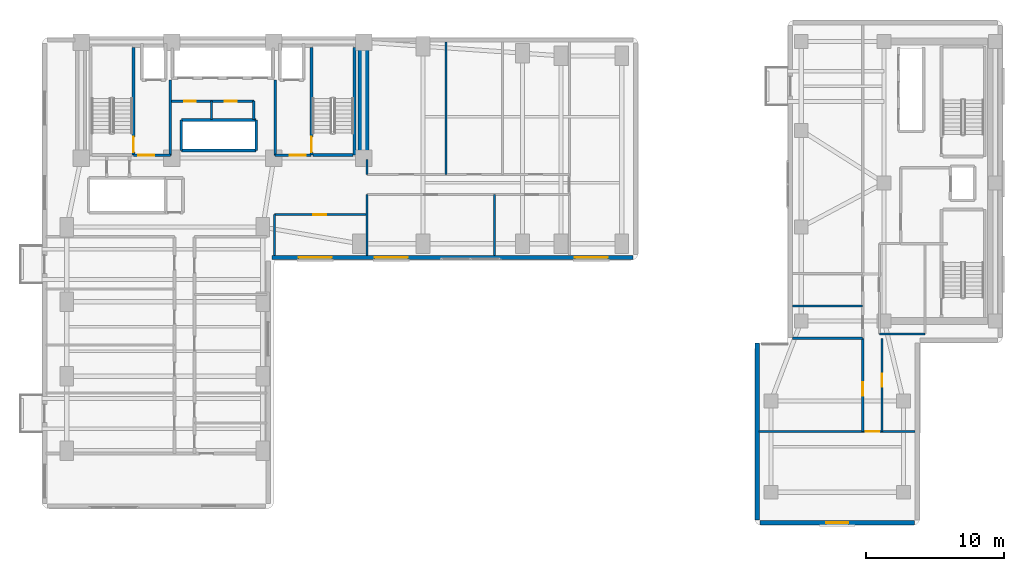
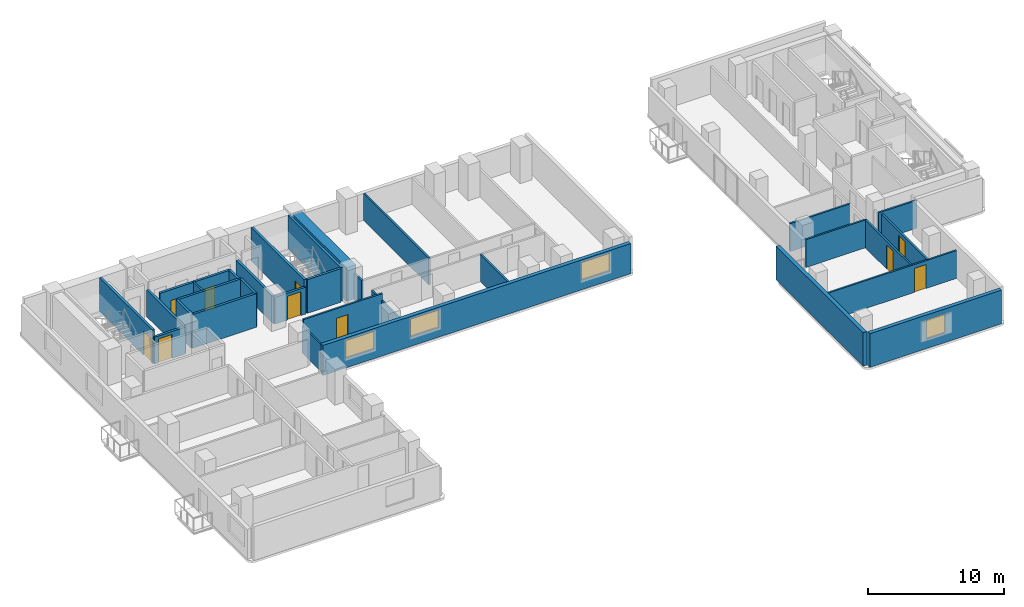
# One storey, part 11 of 17: 31 walls, 10 doors, 4 windows, 14 openings.
"""IFC4 building model written with IfcOpenShell, lengths in metres."""

from ifc_helpers import new_model, si_unit, direction, frame, frame_2d, origin, place, context, subcontext, project, spatial, rectangle, extrude, material, layer, layer_set, type_object, element, fill, save


model = new_model("IFC4")

# Units and contexts
model_context = context("Model", 3, precision=1e-05, world=origin(), true_north=direction((0.0, 1.0)))
body_context = subcontext(model_context, "Body", "Model", "MODEL_VIEW")
ifc_project = project(units=[si_unit("LENGTHUNIT", "METRE"), si_unit("AREAUNIT", "SQUARE_METRE"), si_unit("VOLUMEUNIT", "CUBIC_METRE"), si_unit("PLANEANGLEUNIT", "RADIAN"), si_unit("MASSUNIT", "GRAM", prefix="KILO")], contexts=[model_context])

# Site, building, storey
site_placement = place(None, origin())
site = spatial("IfcSite", under=ifc_project, at=site_placement, CompositionType="ELEMENT")
building_placement = place(site_placement, origin())
building = spatial("IfcBuilding", under=site, at=building_placement, Name="Kuzgunbayir Cultural Tower", CompositionType="ELEMENT")
storey_placement = place(building_placement, frame((0.0, 0.0, 43.60009765625)))
storey = spatial("IfcBuildingStorey", under=building, at=storey_placement, Name="L11", CompositionType="ELEMENT", Elevation=43.60009765625)

# Wall
ifc_material_1 = material(Name="Concrete C60/75", Category="concrete")
ifc_layer_1 = layer(ifc_material_1, 0.800048828125)
ifc_layer_set_1 = layer_set([ifc_layer_1], Name="Concrete C60/75")
wall_type_1 = type_object("IfcWallType", Name="WAL-CORE-800", PredefinedType="SHEAR", material=ifc_layer_set_1)
wall_1_placement = place(storey_placement, frame((26.89990234375, 33.800048828125, 0.0), z_axis=(0.0, 0.0, 1.0), x_axis=(0.0, 1.0, 0.0)))
element("IfcWall", 1, at=wall_1_placement, inside=storey, type_object=wall_type_1, Name="L11 T1 Core East Shear Wall", PredefinedType="SHEAR", context=body_context, shape_type="SweptSolid", body=[
    extrude(rectangle(XDim=7.949951171875, YDim=0.800048828125, at=frame_2d((3.97509765625, 0.0))), origin(), (0.0, 0.0, 1.0), 3.02001953125),
])

# Wall, openings, windows
ifc_material_2 = material(Name="Travertine Buff Ashlar", Category="masonry")
ifc_layer_2 = layer(ifc_material_2, 0.320068359375)
ifc_layer_set_2 = layer_set([ifc_layer_2], Name="Travertine Buff Ashlar")
wall_type_2 = type_object("IfcWallType", Name="WAL-EXT-STONE-320", PredefinedType="STANDARD", material=ifc_layer_set_2)
wall_2_placement = place(storey_placement, frame((20.25, 26.60009765625, 0.0), z_axis=(0.0, 0.0, 1.0), x_axis=(1.0, 0.0, 0.0)))
wall_2 = element("IfcWall", 2, at=wall_2_placement, inside=storey, type_object=wall_type_2, Name="L11 Wing B South Limestone Wall", PredefinedType="STANDARD", context=body_context, shape_type="SweptSolid", body=[
    extrude(rectangle(XDim=26.14990234375, YDim=0.320068359375, at=frame_2d((13.074951171875, 0.0))), origin(), (0.0, 0.0, 1.0), 2.699951171875),
])
opening_1_placement = place(wall_2_placement, frame((1.949951171875, 0.0, 0.85009765625)))
opening_1 = element("IfcOpeningElement", 3, at=opening_1_placement, cuts=wall_2, Name="Opening WO-24", PredefinedType="OPENING", context=body_context, shape_type="SweptSolid", body=[
    extrude(rectangle(XDim=2.39990234375, YDim=1.60009765625, at=frame_2d((1.199951171875, 0.800048828125))), frame((0.0, 0.169921875, 0.0), z_axis=(0.0, -1.0, 0.0), x_axis=(1.0, 0.0, 0.0)), (0.0, 0.0, 1.0), 0.340087890625),
])
opening_2_placement = place(wall_2_placement, frame((7.449951171875, 0.0, 0.85009765625)))
opening_2 = element("IfcOpeningElement", 4, at=opening_2_placement, cuts=wall_2, Name="Opening WO-24", PredefinedType="OPENING", context=body_context, shape_type="SweptSolid", body=[
    extrude(rectangle(XDim=2.39990234375, YDim=1.60009765625, at=frame_2d((1.199951171875, 0.800048828125))), frame((0.0, 0.169921875, 0.0), z_axis=(0.0, -1.0, 0.0), x_axis=(1.0, 0.0, 0.0)), (0.0, 0.0, 1.0), 0.340087890625),
])
opening_3_placement = place(wall_2_placement, frame((21.949951171875, 0.0, 0.85009765625)))
opening_3 = element("IfcOpeningElement", 5, at=opening_3_placement, cuts=wall_2, Name="Opening WO-24", PredefinedType="OPENING", context=body_context, shape_type="SweptSolid", body=[
    extrude(rectangle(XDim=2.39990234375, YDim=1.60009765625, at=frame_2d((1.199951171875, 0.800048828125))), frame((0.0, 0.169921875, 0.0), z_axis=(0.0, -1.0, 0.0), x_axis=(1.0, 0.0, 0.0)), (0.0, 0.0, 1.0), 0.340087890625),
])
ifc_material_3 = material(Name="Solar-Control Triple Glazing", Category="glass")
window_type_1 = type_object("IfcWindowType", Name="WIN-OFFICE-24", PartitioningType="SINGLE_PANEL", PredefinedType="WINDOW", material=ifc_material_3)
window_1_placement = place(opening_1_placement, origin())
window_1 = element("IfcWindow", 6, at=window_1_placement, inside=storey, type_object=window_type_1, Name="L11 WBS Facade Window 6", OverallHeight=1.60009765625, OverallWidth=2.39990234375, PartitioningType="SINGLE_PANEL", PredefinedType="WINDOW", context=body_context, shape_type="SweptSolid", body=[
    extrude(rectangle(XDim=2.39990234375, YDim=1.60009765625, at=frame_2d((1.199951171875, 0.800048828125))), frame((0.0, 0.030029296875, 0.0), z_axis=(0.0, -1.0, 0.0), x_axis=(1.0, 0.0, 0.0)), (0.0, 0.0, 1.0), 0.06005859375),
])
fill(opening_1, window_1)
window_2_placement = place(opening_2_placement, origin())
window_2 = element("IfcWindow", 7, at=window_2_placement, inside=storey, type_object=window_type_1, Name="L11 WBS Facade Window 7", OverallHeight=1.60009765625, OverallWidth=2.39990234375, PartitioningType="SINGLE_PANEL", PredefinedType="WINDOW", context=body_context, shape_type="SweptSolid", body=[
    extrude(rectangle(XDim=2.39990234375, YDim=1.60009765625, at=frame_2d((1.199951171875, 0.800048828125))), frame((0.0, 0.030029296875, 0.0), z_axis=(0.0, -1.0, 0.0), x_axis=(1.0, 0.0, 0.0)), (0.0, 0.0, 1.0), 0.06005859375),
])
fill(opening_2, window_2)
window_3_placement = place(opening_3_placement, origin())
window_3 = element("IfcWindow", 8, at=window_3_placement, inside=storey, type_object=window_type_1, Name="L11 WBS Facade Window 8", OverallHeight=1.60009765625, OverallWidth=2.39990234375, PartitioningType="SINGLE_PANEL", PredefinedType="WINDOW", context=body_context, shape_type="SweptSolid", body=[
    extrude(rectangle(XDim=2.39990234375, YDim=1.60009765625, at=frame_2d((1.199951171875, 0.800048828125))), frame((0.0, 0.030029296875, 0.0), z_axis=(0.0, -1.0, 0.0), x_axis=(1.0, 0.0, 0.0)), (0.0, 0.0, 1.0), 0.06005859375),
])
fill(opening_3, window_3)

# Wall, opening, window
wall_3_placement = place(storey_placement, frame((55.60009765625, 7.39990234375, 0.0), z_axis=(0.0, 0.0, 1.0), x_axis=(1.0, 0.0, 0.0)))
wall_3 = element("IfcWall", 9, at=wall_3_placement, inside=storey, type_object=wall_type_2, Name="L11 Companion Wing B South Wall", PredefinedType="STANDARD", context=body_context, shape_type="SweptSolid", body=[
    extrude(rectangle(XDim=11.199951171875, YDim=0.320068359375, at=frame_2d((5.60009765625, 0.0))), origin(), (0.0, 0.0, 1.0), 3.02001953125),
])
opening_4_placement = place(wall_3_placement, frame((4.800048828125, 0.0, 0.85009765625)))
opening_4 = element("IfcOpeningElement", 10, at=opening_4_placement, cuts=wall_3, Name="Opening WC-16", PredefinedType="OPENING", context=body_context, shape_type="SweptSolid", body=[
    extrude(rectangle(XDim=1.60009765625, YDim=1.699951171875, at=frame_2d((0.800048828125, 0.85009765625))), frame((0.0, 0.169921875, 0.0), z_axis=(0.0, -1.0, 0.0), x_axis=(1.0, 0.0, 0.0)), (0.0, 0.0, 1.0), 0.340087890625),
])
window_type_2 = type_object("IfcWindowType", Name="WIN-COMP-16", PartitioningType="SINGLE_PANEL", PredefinedType="WINDOW", material=ifc_material_3)
window_4_placement = place(opening_4_placement, origin())
window_4 = element("IfcWindow", 11, at=window_4_placement, inside=storey, type_object=window_type_2, Name="L11 Companion South Window", OverallHeight=1.699951171875, OverallWidth=1.60009765625, PartitioningType="SINGLE_PANEL", PredefinedType="WINDOW", context=body_context, shape_type="SweptSolid", body=[
    extrude(rectangle(XDim=1.60009765625, YDim=1.699951171875, at=frame_2d((0.800048828125, 0.85009765625))), frame((0.0, 0.030029296875, 0.0), z_axis=(0.0, -1.0, 0.0), x_axis=(1.0, 0.0, 0.0)), (0.0, 0.0, 1.0), 0.06005859375),
])
fill(opening_4, window_4)

# Walls
wall_4_placement = place(storey_placement, frame((55.39990234375, 20.39990234375, 0.0), z_axis=(0.0, 0.0, 1.0), x_axis=(0.0, -1.0, 0.0)))
element("IfcWall", 12, at=wall_4_placement, inside=storey, type_object=wall_type_2, Name="L11 Companion Wing B West Wall", PredefinedType="STANDARD", context=body_context, shape_type="SweptSolid", body=[
    extrude(rectangle(XDim=12.7998046875, YDim=0.320068359375, at=frame_2d((6.39990234375, 0.0))), origin(), (0.0, 0.0, 1.0), 3.02001953125),
])
ifc_material_4 = material(Name="Acoustic Double-Stud Drywall", Category="gypsum")
ifc_layer_3 = layer(ifc_material_4, 0.14990234375)
ifc_layer_set_3 = layer_set([ifc_layer_3], Name="Acoustic Double-Stud Drywall")
wall_type_3 = type_object("IfcWallType", Name="WAL-PART-ACOUSTIC-150", PredefinedType="PARTITIONING", material=ifc_layer_set_3)
wall_5_placement = place(storey_placement, frame((15.89990234375, 36.60009765625, 0.0), z_axis=(0.0, 0.0, 1.0), x_axis=(0.0, 1.0, 0.0)))
element("IfcWall", 13, at=wall_5_placement, inside=storey, type_object=wall_type_3, Name="L11 Core Closets Divider", PredefinedType="PARTITIONING", context=body_context, shape_type="SweptSolid", body=[
    extrude(rectangle(XDim=1.31982421875, YDim=0.14990234375, at=frame_2d((0.659912109375, 0.0))), origin(), (0.0, 0.0, 1.0), 3.02001953125),
])

# Wall, opening, door
wall_6_placement = place(storey_placement, frame((20.449951171875, 29.699951171875, 0.0), z_axis=(0.0, 0.0, 1.0), x_axis=(1.0, 0.0, 0.0)))
wall_6 = element("IfcWall", 14, at=wall_6_placement, inside=storey, type_object=wall_type_3, Name="L11 Waist Alcove North Wall", PredefinedType="PARTITIONING", context=body_context, shape_type="SweptSolid", body=[
    extrude(rectangle(XDim=6.699951171875, YDim=0.14990234375, at=frame_2d((3.35009765625, 0.0))), origin(), (0.0, 0.0, 1.0), 3.02001953125),
])
opening_5_placement = place(wall_6_placement, frame((2.800048828125, 0.0, 0.0)))
opening_5 = element("IfcOpeningElement", 15, at=opening_5_placement, cuts=wall_6, Name="Opening DI-90", PredefinedType="OPENING", context=body_context, shape_type="SweptSolid", body=[
    extrude(rectangle(XDim=0.949951171875, YDim=2.14990234375, at=frame_2d((0.47509765625, 1.074951171875))), frame((0.0, 0.0849609375, 0.0), z_axis=(0.0, -1.0, 0.0), x_axis=(1.0, 0.0, 0.0)), (0.0, 0.0, 1.0), 0.169921875),
])
ifc_material_5 = material(Name="Veneered Oak Single Leaf", Category="wood")
door_type_1 = type_object("IfcDoorType", Name="DR-INT-90", OperationType="NOTDEFINED", PredefinedType="DOOR", material=ifc_material_5)
door_1_placement = place(opening_5_placement, origin())
door_1 = element("IfcDoor", 16, at=door_1_placement, inside=storey, type_object=door_type_1, Name="L11 Waist Alcove Door", OperationType="SINGLE_SWING_LEFT", OverallHeight=2.14990234375, OverallWidth=0.949951171875, PredefinedType="DOOR", context=body_context, shape_type="SweptSolid", body=[
    extrude(rectangle(XDim=0.949951171875, YDim=2.14990234375, at=frame_2d((0.47509765625, 1.074951171875))), frame((0.0, 0.02490234375, 0.0), z_axis=(0.0, -1.0, 0.0), x_axis=(1.0, 0.0, 0.0)), (0.0, 0.0, 1.0), 0.050048828125),
])
fill(opening_5, door_1)

# Walls
wall_7_placement = place(storey_placement, frame((20.449951171875, 26.75, 0.0), z_axis=(0.0, 0.0, 1.0), x_axis=(0.0, 1.0, 0.0)))
element("IfcWall", 17, at=wall_7_placement, inside=storey, type_object=wall_type_3, Name="L11 Waist Alcove West Wall", PredefinedType="PARTITIONING", context=body_context, shape_type="SweptSolid", body=[
    extrude(rectangle(XDim=2.949951171875, YDim=0.14990234375, at=frame_2d((1.47509765625, 0.0))), origin(), (0.0, 0.0, 1.0), 2.409912109375),
])
wall_8_placement = place(storey_placement, frame((27.14990234375, 26.75, 0.0), z_axis=(0.0, 0.0, 1.0), x_axis=(0.0, 1.0, 0.0)))
element("IfcWall", 18, at=wall_8_placement, inside=storey, type_object=wall_type_3, Name="L11 Waist Alcove East Wall", PredefinedType="PARTITIONING", context=body_context, shape_type="SweptSolid", body=[
    extrude(rectangle(XDim=4.39990234375, YDim=0.14990234375, at=frame_2d((2.199951171875, 0.0))), origin(), (0.0, 0.0, 1.0), 2.409912109375),
])
wall_9_placement = place(storey_placement, frame((27.14990234375, 32.60009765625, 0.0), z_axis=(0.0, 0.0, 1.0), x_axis=(0.0, 1.0, 0.0)))
element("IfcWall", 19, at=wall_9_placement, inside=storey, type_object=wall_type_3, Name="L11 Wing B North Core Closure Wall", PredefinedType="PARTITIONING", context=body_context, shape_type="SweptSolid", body=[
    extrude(rectangle(XDim=1.079833984375, YDim=0.14990234375, at=frame_2d((0.5400390625, 0.0))), origin(), (0.0, 0.0, 1.0), 2.409912109375),
])
wall_10_placement = place(storey_placement, frame((36.3798828125, 26.75, 0.0), z_axis=(0.0, 0.0, 1.0), x_axis=(0.0, 1.0, 0.0)))
element("IfcWall", 20, at=wall_10_placement, inside=storey, type_object=wall_type_3, Name="L11 Wing B South Partition 1", PredefinedType="PARTITIONING", context=body_context, shape_type="SweptSolid", body=[
    extrude(rectangle(XDim=4.39990234375, YDim=0.14990234375, at=frame_2d((2.199951171875, 0.0))), origin(), (0.0, 0.0, 1.0), 2.409912109375),
])
wall_11_placement = place(storey_placement, frame((32.860107421875, 32.60009765625, 0.0), z_axis=(0.0, 0.0, 1.0), x_axis=(0.0, 1.0, 0.0)))
element("IfcWall", 21, at=wall_11_placement, inside=storey, type_object=wall_type_3, Name="L11 Wing B North Partition 1", PredefinedType="PARTITIONING", context=body_context, shape_type="SweptSolid", body=[
    extrude(rectangle(XDim=9.599853515625, YDim=0.14990234375, at=frame_2d((4.7998046875, 0.0))), origin(), (0.0, 0.0, 1.0), 2.409912109375),
])
wall_12_placement = place(storey_placement, frame((64.25, 21.050048828125, 0.0), z_axis=(0.0, 0.0, 1.0), x_axis=(1.0, 0.0, 0.0)))
element("IfcWall", 22, at=wall_12_placement, inside=storey, type_object=wall_type_3, Name="L11 Companion Archive South Wall", PredefinedType="PARTITIONING", context=body_context, shape_type="SweptSolid", body=[
    extrude(rectangle(XDim=3.300048828125, YDim=0.14990234375, at=frame_2d((1.64990234375, 0.0))), origin(), (0.0, 0.0, 1.0), 2.5),
])

# Wall, opening, door
wall_13_placement = place(storey_placement, frame((63.050048828125, 14.0, 0.0), z_axis=(0.0, 0.0, 1.0), x_axis=(0.0, 1.0, 0.0)))
wall_13 = element("IfcWall", 23, at=wall_13_placement, inside=storey, type_object=wall_type_3, Name="L11 Companion South Corridor West Wall", PredefinedType="PARTITIONING", context=body_context, shape_type="SweptSolid", body=[
    extrude(rectangle(XDim=6.75, YDim=0.14990234375, at=frame_2d((3.375, 0.0))), origin(), (0.0, 0.0, 1.0), 2.5),
])
opening_6_placement = place(wall_13_placement, frame((2.60009765625, 0.0, 0.0)))
opening_6 = element("IfcOpeningElement", 24, at=opening_6_placement, cuts=wall_13, Name="Opening DI-90", PredefinedType="OPENING", context=body_context, shape_type="SweptSolid", body=[
    extrude(rectangle(XDim=0.949951171875, YDim=2.14990234375, at=frame_2d((0.47509765625, 1.074951171875))), frame((0.0, 0.0849609375, 0.0), z_axis=(0.0, -1.0, 0.0), x_axis=(1.0, 0.0, 0.0)), (0.0, 0.0, 1.0), 0.169921875),
])
door_2_placement = place(opening_6_placement, origin())
door_2 = element("IfcDoor", 25, at=door_2_placement, inside=storey, type_object=door_type_1, Name="L11 Companion West Atelier Door", OperationType="SINGLE_SWING_LEFT", OverallHeight=2.14990234375, OverallWidth=0.949951171875, PredefinedType="DOOR", context=body_context, shape_type="SweptSolid", body=[
    extrude(rectangle(XDim=0.949951171875, YDim=2.14990234375, at=frame_2d((0.47509765625, 1.074951171875))), frame((0.0, 0.02490234375, 0.0), z_axis=(0.0, -1.0, 0.0), x_axis=(1.0, 0.0, 0.0)), (0.0, 0.0, 1.0), 0.050048828125),
])
fill(opening_6, door_2)

wall_14_placement = place(storey_placement, frame((55.550048828125, 14.0, 0.0), z_axis=(0.0, 0.0, 1.0), x_axis=(1.0, 0.0, 0.0)))
wall_14 = element("IfcWall", 26, at=wall_14_placement, inside=storey, type_object=wall_type_3, Name="L11 Companion South Gallery Wall", PredefinedType="PARTITIONING", context=body_context, shape_type="SweptSolid", body=[
    extrude(rectangle(XDim=11.300048828125, YDim=0.14990234375, at=frame_2d((5.64990234375, 0.0))), origin(), (0.0, 0.0, 1.0), 2.5),
])
opening_7_placement = place(wall_14_placement, frame((7.699951171875, 0.0, 0.0)))
opening_7 = element("IfcOpeningElement", 27, at=opening_7_placement, cuts=wall_14, Name="Opening DI-100", PredefinedType="OPENING", context=body_context, shape_type="SweptSolid", body=[
    extrude(rectangle(XDim=1.0, YDim=2.14990234375, at=frame_2d((0.5, 1.074951171875))), frame((0.0, 0.0849609375, 0.0), z_axis=(0.0, -1.0, 0.0), x_axis=(1.0, 0.0, 0.0)), (0.0, 0.0, 1.0), 0.169921875),
])
door_type_2 = type_object("IfcDoorType", Name="DR-INT-100", OperationType="NOTDEFINED", PredefinedType="DOOR", material=ifc_material_5)
door_3_placement = place(opening_7_placement, origin())
door_3 = element("IfcDoor", 28, at=door_3_placement, inside=storey, type_object=door_type_2, Name="L11 Companion South Salon Door", OperationType="SINGLE_SWING_LEFT", OverallHeight=2.14990234375, OverallWidth=1.0, PredefinedType="DOOR", context=body_context, shape_type="SweptSolid", body=[
    extrude(rectangle(XDim=1.0, YDim=2.14990234375, at=frame_2d((0.5, 1.074951171875))), frame((0.0, 0.02490234375, 0.0), z_axis=(0.0, -1.0, 0.0), x_axis=(1.0, 0.0, 0.0)), (0.0, 0.0, 1.0), 0.050048828125),
])
fill(opening_7, door_3)

wall_15_placement = place(storey_placement, frame((64.449951171875, 14.0, 0.0), z_axis=(0.0, 0.0, 1.0), x_axis=(0.0, 1.0, 0.0)))
wall_15 = element("IfcWall", 29, at=wall_15_placement, inside=storey, type_object=wall_type_3, Name="L11 Companion South Corridor East Wall", PredefinedType="PARTITIONING", context=body_context, shape_type="SweptSolid", body=[
    extrude(rectangle(XDim=6.75, YDim=0.14990234375, at=frame_2d((3.375, 0.0))), origin(), (0.0, 0.0, 1.0), 2.5),
])
opening_8_placement = place(wall_15_placement, frame((3.239990234375, 0.0, 0.0)))
opening_8 = element("IfcOpeningElement", 30, at=opening_8_placement, cuts=wall_15, Name="Opening DI-90", PredefinedType="OPENING", context=body_context, shape_type="SweptSolid", body=[
    extrude(rectangle(XDim=0.949951171875, YDim=2.14990234375, at=frame_2d((0.47509765625, 1.074951171875))), frame((0.0, 0.0849609375, 0.0), z_axis=(0.0, -1.0, 0.0), x_axis=(1.0, 0.0, 0.0)), (0.0, 0.0, 1.0), 0.169921875),
])
door_4_placement = place(opening_8_placement, origin())
door_4 = element("IfcDoor", 31, at=door_4_placement, inside=storey, type_object=door_type_1, Name="L11 Companion East Studio Door", OperationType="SINGLE_SWING_RIGHT", OverallHeight=2.14990234375, OverallWidth=0.949951171875, PredefinedType="DOOR", context=body_context, shape_type="SweptSolid", body=[
    extrude(rectangle(XDim=0.949951171875, YDim=2.14990234375, at=frame_2d((0.47509765625, 1.074951171875))), frame((0.0, 0.02490234375, 0.0), z_axis=(0.0, -1.0, 0.0), x_axis=(1.0, 0.0, 0.0)), (0.0, 0.0, 1.0), 0.050048828125),
])
fill(opening_8, door_4)

# Wall
ifc_material_6 = material(Name="Aerated Concrete Blockwork", Category="masonry")
ifc_layer_4 = layer(ifc_material_6, 0.199951171875)
ifc_layer_set_4 = layer_set([ifc_layer_4], Name="Aerated Concrete Blockwork")
wall_type_4 = type_object("IfcWallType", Name="WAL-PART-FIRE-200", PredefinedType="PARTITIONING", material=ifc_layer_set_4)
wall_16_placement = place(storey_placement, frame((12.89990234375, 34.0, 0.0), z_axis=(0.0, 0.0, 1.0), x_axis=(0.0, 1.0, 0.0)))
element("IfcWall", 32, at=wall_16_placement, inside=storey, type_object=wall_type_4, Name="L11 FFL-1 Lobby East Fire Wall", PredefinedType="PARTITIONING", context=body_context, shape_type="SweptSolid", body=[
    extrude(rectangle(XDim=5.449951171875, YDim=0.199951171875, at=frame_2d((2.72509765625, 0.0))), origin(), (0.0, 0.0, 1.0), 2.409912109375),
])

# Wall, opening, door
wall_17_placement = place(storey_placement, frame((10.239990234375, 34.0, 0.0), z_axis=(0.0, 0.0, 1.0), x_axis=(1.0, 0.0, 0.0)))
wall_17 = element("IfcWall", 33, at=wall_17_placement, inside=storey, type_object=wall_type_4, Name="L11 FFL-1 Lobby South Fire Wall", PredefinedType="PARTITIONING", context=body_context, shape_type="SweptSolid", body=[
    extrude(rectangle(XDim=2.659912109375, YDim=0.199951171875, at=frame_2d((1.330078125, 0.0))), origin(), (0.0, 0.0, 1.0), 2.409912109375),
])
opening_9_placement = place(wall_17_placement, frame((0.35009765625, 0.0, 0.0)))
opening_9 = element("IfcOpeningElement", 34, at=opening_9_placement, cuts=wall_17, Name="Opening DR-FFL-90", PredefinedType="OPENING", context=body_context, shape_type="SweptSolid", body=[
    extrude(rectangle(XDim=1.14990234375, YDim=2.14990234375, at=frame_2d((0.574951171875, 1.074951171875))), frame((0.0, 0.10986328125, 0.0), z_axis=(0.0, -1.0, 0.0), x_axis=(1.0, 0.0, 0.0)), (0.0, 0.0, 1.0), 0.219970703125),
])
ifc_material_7 = material(Name="Steel S355J2", Category="steel")
door_type_3 = type_object("IfcDoorType", Name="DR-FFL-90", OperationType="NOTDEFINED", PredefinedType="DOOR", material=ifc_material_7)
door_5_placement = place(opening_9_placement, origin())
door_5 = element("IfcDoor", 35, at=door_5_placement, inside=storey, type_object=door_type_3, Name="L11 Firefighting Lobby 1 Door", OperationType="SINGLE_SWING_LEFT", OverallHeight=2.14990234375, OverallWidth=1.14990234375, PredefinedType="DOOR", context=body_context, shape_type="SweptSolid", body=[
    extrude(rectangle(XDim=1.14990234375, YDim=2.14990234375, at=frame_2d((0.574951171875, 1.074951171875))), frame((0.0, 0.02490234375, 0.0), z_axis=(0.0, -1.0, 0.0), x_axis=(1.0, 0.0, 0.0)), (0.0, 0.0, 1.0), 0.050048828125),
])
fill(opening_9, door_5)

# Wall
wall_18_placement = place(storey_placement, frame((20.5, 34.0, 0.0), z_axis=(0.0, 0.0, 1.0), x_axis=(0.0, 1.0, 0.0)))
element("IfcWall", 36, at=wall_18_placement, inside=storey, type_object=wall_type_4, Name="L11 FFL-2 Lobby West Fire Wall", PredefinedType="PARTITIONING", context=body_context, shape_type="SweptSolid", body=[
    extrude(rectangle(XDim=5.449951171875, YDim=0.199951171875, at=frame_2d((2.72509765625, 0.0))), origin(), (0.0, 0.0, 1.0), 2.409912109375),
])

# Wall, opening, door
wall_19_placement = place(storey_placement, frame((20.5, 34.0, 0.0), z_axis=(0.0, 0.0, 1.0), x_axis=(1.0, 0.0, 0.0)))
wall_19 = element("IfcWall", 37, at=wall_19_placement, inside=storey, type_object=wall_type_4, Name="L11 FFL-2 Lobby South Fire Wall", PredefinedType="PARTITIONING", context=body_context, shape_type="SweptSolid", body=[
    extrude(rectangle(XDim=2.60009765625, YDim=0.199951171875, at=frame_2d((1.300048828125, 0.0))), origin(), (0.0, 0.0, 1.0), 2.409912109375),
])
opening_10_placement = place(wall_19_placement, frame((1.050048828125, 0.0, 0.0)))
opening_10 = element("IfcOpeningElement", 38, at=opening_10_placement, cuts=wall_19, Name="Opening DR-FFL-90", PredefinedType="OPENING", context=body_context, shape_type="SweptSolid", body=[
    extrude(rectangle(XDim=1.14990234375, YDim=2.14990234375, at=frame_2d((0.574951171875, 1.074951171875))), frame((0.0, 0.10986328125, 0.0), z_axis=(0.0, -1.0, 0.0), x_axis=(1.0, 0.0, 0.0)), (0.0, 0.0, 1.0), 0.219970703125),
])
door_6_placement = place(opening_10_placement, origin())
door_6 = element("IfcDoor", 39, at=door_6_placement, inside=storey, type_object=door_type_3, Name="L11 Firefighting Lobby 2 Door", OperationType="SINGLE_SWING_RIGHT", OverallHeight=2.14990234375, OverallWidth=1.14990234375, PredefinedType="DOOR", context=body_context, shape_type="SweptSolid", body=[
    extrude(rectangle(XDim=1.14990234375, YDim=2.14990234375, at=frame_2d((0.574951171875, 1.074951171875))), frame((0.0, 0.02490234375, 0.0), z_axis=(0.0, -1.0, 0.0), x_axis=(1.0, 0.0, 0.0)), (0.0, 0.0, 1.0), 0.050048828125),
])
fill(opening_10, door_6)

# Wall, openings, doors
wall_20_placement = place(storey_placement, frame((13.0, 37.919921875, 0.0), z_axis=(0.0, 0.0, 1.0), x_axis=(1.0, 0.0, 0.0)))
wall_20 = element("IfcWall", 40, at=wall_20_placement, inside=storey, type_object=wall_type_4, Name="L11 Core Closets North Wall", PredefinedType="PARTITIONING", context=body_context, shape_type="SweptSolid", body=[
    extrude(rectangle(XDim=5.949951171875, YDim=0.199951171875, at=frame_2d((2.97509765625, 0.0))), origin(), (0.0, 0.0, 1.0), 3.02001953125),
])
opening_11_placement = place(wall_20_placement, frame((0.89990234375, 0.0, 0.0)))
opening_11 = element("IfcOpeningElement", 41, at=opening_11_placement, cuts=wall_20, Name="Opening DR-RSR-60", PredefinedType="OPENING", context=body_context, shape_type="SweptSolid", body=[
    extrude(rectangle(XDim=0.85009765625, YDim=2.050048828125, at=frame_2d((0.425048828125, 1.02490234375))), frame((0.0, 0.10986328125, 0.0), z_axis=(0.0, -1.0, 0.0), x_axis=(1.0, 0.0, 0.0)), (0.0, 0.0, 1.0), 0.219970703125),
])
opening_12_placement = place(wall_20_placement, frame((3.85009765625, 0.0, 0.0)))
opening_12 = element("IfcOpeningElement", 42, at=opening_12_placement, cuts=wall_20, Name="Opening DR-RSR-60", PredefinedType="OPENING", context=body_context, shape_type="SweptSolid", body=[
    extrude(rectangle(XDim=0.85009765625, YDim=2.050048828125, at=frame_2d((0.425048828125, 1.02490234375))), frame((0.0, 0.10986328125, 0.0), z_axis=(0.0, -1.0, 0.0), x_axis=(1.0, 0.0, 0.0)), (0.0, 0.0, 1.0), 0.219970703125),
])
ifc_material_8 = material(Name="Steel Access Leaf", Category="steel")
door_type_4 = type_object("IfcDoorType", Name="DR-RISER-60", OperationType="NOTDEFINED", PredefinedType="DOOR", material=ifc_material_8)
door_7_placement = place(opening_11_placement, origin())
door_7 = element("IfcDoor", 43, at=door_7_placement, inside=storey, type_object=door_type_4, Name="L11 Electrical Switchgear Closet Door", OperationType="SINGLE_SWING_RIGHT", OverallHeight=2.050048828125, OverallWidth=0.85009765625, PredefinedType="DOOR", context=body_context, shape_type="SweptSolid", body=[
    extrude(rectangle(XDim=0.85009765625, YDim=2.050048828125, at=frame_2d((0.425048828125, 1.02490234375))), frame((0.0, 0.02490234375, 0.0), z_axis=(0.0, -1.0, 0.0), x_axis=(1.0, 0.0, 0.0)), (0.0, 0.0, 1.0), 0.050048828125),
])
fill(opening_11, door_7)
door_8_placement = place(opening_12_placement, origin())
door_8 = element("IfcDoor", 44, at=door_8_placement, inside=storey, type_object=door_type_4, Name="L11 Janitor Store Door", OperationType="SINGLE_SWING_LEFT", OverallHeight=2.050048828125, OverallWidth=0.85009765625, PredefinedType="DOOR", context=body_context, shape_type="SweptSolid", body=[
    extrude(rectangle(XDim=0.85009765625, YDim=2.050048828125, at=frame_2d((0.425048828125, 1.02490234375))), frame((0.0, 0.02490234375, 0.0), z_axis=(0.0, -1.0, 0.0), x_axis=(1.0, 0.0, 0.0)), (0.0, 0.0, 1.0), 0.050048828125),
])
fill(opening_12, door_8)

# Walls
wall_21_placement = place(storey_placement, frame((18.949951171875, 36.60009765625, 0.0), z_axis=(0.0, 0.0, 1.0), x_axis=(0.0, 1.0, 0.0)))
element("IfcWall", 45, at=wall_21_placement, inside=storey, type_object=wall_type_4, Name="L11 Core Closets East Wall", PredefinedType="PARTITIONING", context=body_context, shape_type="SweptSolid", body=[
    extrude(rectangle(XDim=1.31982421875, YDim=0.199951171875, at=frame_2d((0.659912109375, 0.0))), origin(), (0.0, 0.0, 1.0), 3.02001953125),
])
ifc_material_9 = material(Name="Moisture-Resistant Tile Partition", Category="gypsum")
ifc_layer_5 = layer(ifc_material_9, 0.14990234375)
ifc_layer_set_5 = layer_set([ifc_layer_5], Name="Moisture-Resistant Tile Partition")
wall_type_5 = type_object("IfcWallType", Name="WAL-PART-WET-150", PredefinedType="PARTITIONING", material=ifc_layer_set_5)
for number, where, z_axis, x_axis, name in (
    (46, (57.949951171875, 20.75, 0.0), (0.0, 0.0, 1.0), (1.0, 0.0, 0.0), "L11 Companion WC South Wall"),
    (47, (57.949951171875, 23.10009765625, 0.0), (0.0, 0.0, 1.0), (1.0, 0.0, 0.0), "L11 Companion WC North Wall"),
):
    element("IfcWall", number, at=place(storey_placement, frame(where, z_axis=z_axis, x_axis=x_axis)), inside=storey, type_object=wall_type_5, Name=name, PredefinedType="PARTITIONING", context=body_context, shape_type="SweptSolid", body=[
        extrude(rectangle(XDim=5.10009765625, YDim=0.14990234375, at=frame_2d((2.550048828125, 0.0))), origin(), (0.0, 0.0, 1.0), 2.5),
    ])
ifc_material_10 = material(Name="Concrete C40/50", Category="concrete")
ifc_layer_6 = layer(ifc_material_10, 0.199951171875)
ifc_layer_set_6 = layer_set([ifc_layer_6], Name="Concrete C40/50")
wall_type_6 = type_object("IfcWallType", Name="WAL-SHAFT-200", PredefinedType="MOVABLE", material=ifc_layer_set_6)
for number, where, z_axis, x_axis, name in (
    (48, (13.699951171875, 34.35009765625, 0.0), (0.0, 0.0, 1.0), (1.0, 0.0, 0.0), "L11 Mid-Rise Lift Front Wall"),
    (49, (13.699951171875, 36.550048828125, 0.0), (0.0, 0.0, 1.0), (1.0, 0.0, 0.0), "L11 Mid-Rise Lift Shaft North Wall"),
):
    element("IfcWall", number, at=place(storey_placement, frame(where, z_axis=z_axis, x_axis=x_axis)), inside=storey, type_object=wall_type_6, Name=name, PredefinedType="MOVABLE", context=body_context, shape_type="SweptSolid", body=[
        extrude(rectangle(XDim=5.420166015625, YDim=0.199951171875, at=frame_2d((2.7099609375, 0.0))), origin(), (0.0, 0.0, 1.0), 3.02001953125),
    ])
for number, where, z_axis, x_axis, name in (
    (50, (13.699951171875, 34.35009765625, 0.0), (0.0, 0.0, 1.0), (0.0, 1.0, 0.0), "L11 Mid-Rise Lift Shaft West Wall"),
    (51, (19.1201171875, 34.35009765625, 0.0), (0.0, 0.0, 1.0), (0.0, 1.0, 0.0), "L11 Mid-Rise Lift Shaft East Wall"),
):
    element("IfcWall", number, at=place(storey_placement, frame(where, z_axis=z_axis, x_axis=x_axis)), inside=storey, type_object=wall_type_6, Name=name, PredefinedType="MOVABLE", context=body_context, shape_type="SweptSolid", body=[
        extrude(rectangle(XDim=2.199951171875, YDim=0.199951171875, at=frame_2d((1.10009765625, 0.0))), origin(), (0.0, 0.0, 1.0), 3.02001953125),
    ])

# Wall, opening, door
ifc_layer_7 = layer(ifc_material_10, 0.199951171875)
ifc_layer_set_7 = layer_set([ifc_layer_7], Name="Concrete C40/50")
wall_type_7 = type_object("IfcWallType", Name="WAL-STAIR-RC-200", PredefinedType="SHEAR", material=ifc_layer_set_7)
wall_22_placement = place(storey_placement, frame((10.239990234375, 34.02001953125, 0.0), z_axis=(0.0, 0.0, 1.0), x_axis=(0.0, 1.0, 0.0)))
wall_22 = element("IfcWall", 52, at=wall_22_placement, inside=storey, type_object=wall_type_7, Name="L11 Stair ST-1 East Structural Wall", PredefinedType="SHEAR", context=body_context, shape_type="SweptSolid", body=[
    extrude(rectangle(XDim=7.780029296875, YDim=0.199951171875, at=frame_2d((3.89013671875, 0.0))), origin(), (0.0, 0.0, 1.0), 3.02001953125),
])
opening_13_placement = place(wall_22_placement, frame((0.219970703125, 0.0, 0.0)))
opening_13 = element("IfcOpeningElement", 53, at=opening_13_placement, cuts=wall_22, Name="Opening DR-STAIR-90", PredefinedType="OPENING", context=body_context, shape_type="SweptSolid", body=[
    extrude(rectangle(XDim=1.10009765625, YDim=2.14990234375, at=frame_2d((0.550048828125, 1.074951171875))), frame((0.0, 0.10986328125, 0.0), z_axis=(0.0, -1.0, 0.0), x_axis=(1.0, 0.0, 0.0)), (0.0, 0.0, 1.0), 0.219970703125),
])
door_type_5 = type_object("IfcDoorType", Name="DR-STAIR-90", OperationType="NOTDEFINED", PredefinedType="DOOR", material=ifc_material_7)
door_9_placement = place(opening_13_placement, origin())
door_9 = element("IfcDoor", 54, at=door_9_placement, inside=storey, type_object=door_type_5, Name="L11 Stair ST-1 Fire Door", OperationType="SINGLE_SWING_LEFT", OverallHeight=2.14990234375, OverallWidth=1.10009765625, PredefinedType="DOOR", context=body_context, shape_type="SweptSolid", body=[
    extrude(rectangle(XDim=1.10009765625, YDim=2.14990234375, at=frame_2d((0.550048828125, 1.074951171875))), frame((0.0, 0.02490234375, 0.0), z_axis=(0.0, -1.0, 0.0), x_axis=(1.0, 0.0, 0.0)), (0.0, 0.0, 1.0), 0.050048828125),
])
fill(opening_13, door_9)

wall_23_placement = place(storey_placement, frame((23.1201171875, 34.02001953125, 0.0), z_axis=(0.0, 0.0, 1.0), x_axis=(0.0, 1.0, 0.0)))
wall_23 = element("IfcWall", 55, at=wall_23_placement, inside=storey, type_object=wall_type_7, Name="L11 Stair ST-2 West Structural Wall", PredefinedType="SHEAR", context=body_context, shape_type="SweptSolid", body=[
    extrude(rectangle(XDim=7.780029296875, YDim=0.199951171875, at=frame_2d((3.89013671875, 0.0))), origin(), (0.0, 0.0, 1.0), 3.02001953125),
])
opening_14_placement = place(wall_23_placement, frame((0.219970703125, 0.0, 0.0)))
opening_14 = element("IfcOpeningElement", 56, at=opening_14_placement, cuts=wall_23, Name="Opening DR-STAIR-90", PredefinedType="OPENING", context=body_context, shape_type="SweptSolid", body=[
    extrude(rectangle(XDim=1.10009765625, YDim=2.14990234375, at=frame_2d((0.550048828125, 1.074951171875))), frame((0.0, 0.10986328125, 0.0), z_axis=(0.0, -1.0, 0.0), x_axis=(1.0, 0.0, 0.0)), (0.0, 0.0, 1.0), 0.219970703125),
])
door_10_placement = place(opening_14_placement, origin())
door_10 = element("IfcDoor", 57, at=door_10_placement, inside=storey, type_object=door_type_5, Name="L11 Stair ST-2 Fire Door", OperationType="SINGLE_SWING_LEFT", OverallHeight=2.14990234375, OverallWidth=1.10009765625, PredefinedType="DOOR", context=body_context, shape_type="SweptSolid", body=[
    extrude(rectangle(XDim=1.10009765625, YDim=2.14990234375, at=frame_2d((0.550048828125, 1.074951171875))), frame((0.0, 0.02490234375, 0.0), z_axis=(0.0, -1.0, 0.0), x_axis=(1.0, 0.0, 0.0)), (0.0, 0.0, 1.0), 0.050048828125),
])
fill(opening_14, door_10)

# Walls
wall_24_placement = place(storey_placement, frame((26.239990234375, 34.02001953125, 0.0), z_axis=(0.0, 0.0, 1.0), x_axis=(0.0, 1.0, 0.0)))
element("IfcWall", 58, at=wall_24_placement, inside=storey, type_object=wall_type_7, Name="L11 Stair ST-2 East Structural Wall", PredefinedType="SHEAR", context=body_context, shape_type="SweptSolid", body=[
    extrude(rectangle(XDim=7.780029296875, YDim=0.199951171875, at=frame_2d((3.89013671875, 0.0))), origin(), (0.0, 0.0, 1.0), 3.02001953125),
])
wall_25_placement = place(storey_placement, frame((23.239990234375, 34.02001953125, 0.0), z_axis=(0.0, 0.0, 1.0), x_axis=(1.0, 0.0, 0.0)))
element("IfcWall", 59, at=wall_25_placement, inside=storey, type_object=wall_type_7, Name="L11 Stair ST-2 South Structural Wall", PredefinedType="SHEAR", context=body_context, shape_type="SweptSolid", body=[
    extrude(rectangle(XDim=2.880126953125, YDim=0.199951171875, at=frame_2d((1.43994140625, 0.0))), origin(), (0.0, 0.0, 1.0), 3.02001953125),
])

save(model, "model.ifc")
